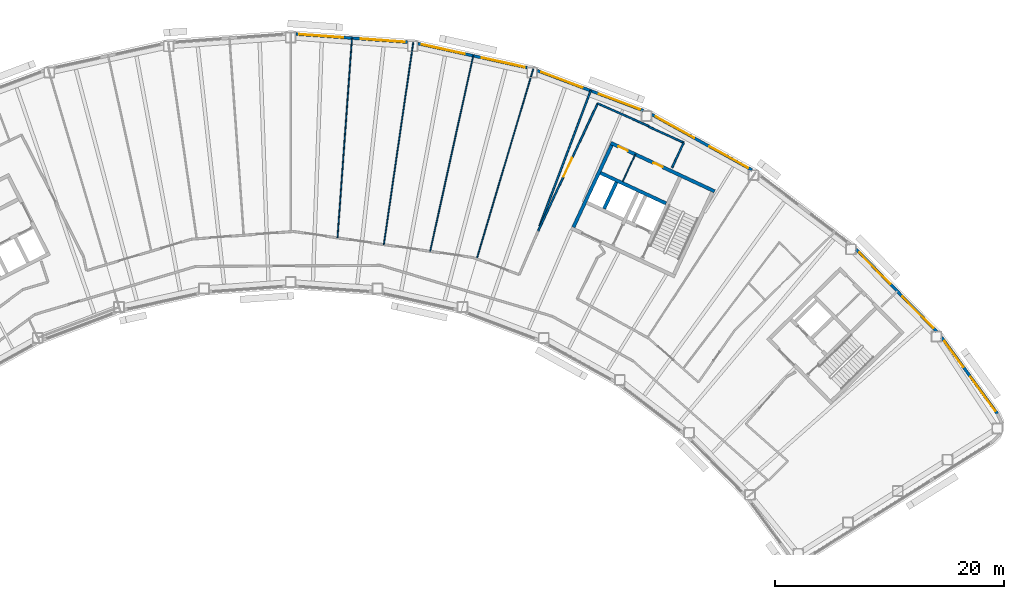
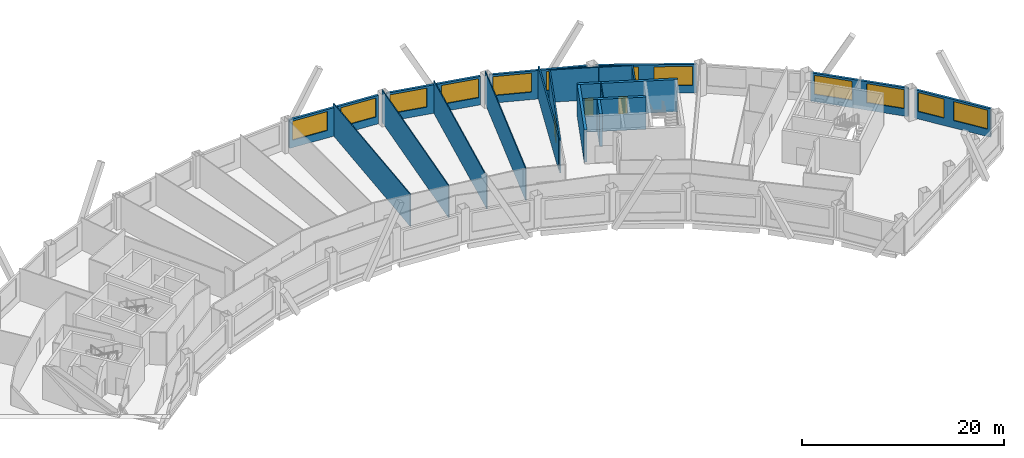
# One storey, part 10 of 13: 20 walls, 12 windows, 3 doors, 15 openings.
"""IFC4 building model written with IfcOpenShell, lengths in metres."""

from ifc_helpers import new_model, si_unit, direction, frame, frame_2d, origin, place, context, subcontext, project, spatial, rectangle, extrude, material, layer, layer_set, type_object, element, fill, save


model = new_model("IFC4")

# Units and contexts
model_context = context("Model", 3, precision=1e-05, world=origin(), true_north=direction((0.0, 1.0)))
body_context = subcontext(model_context, "Body", "Model", "MODEL_VIEW")
ifc_project = project(units=[si_unit("LENGTHUNIT", "METRE"), si_unit("AREAUNIT", "SQUARE_METRE"), si_unit("VOLUMEUNIT", "CUBIC_METRE"), si_unit("PLANEANGLEUNIT", "RADIAN"), si_unit("MASSUNIT", "GRAM", prefix="KILO")], contexts=[model_context])

# Site, building, storey
site_placement = place(None, origin())
site = spatial("IfcSite", under=ifc_project, at=site_placement, CompositionType="ELEMENT")
building_placement = place(site_placement, origin())
building = spatial("IfcBuilding", under=site, at=building_placement, Name="Tuul Gate Civic Tower", CompositionType="ELEMENT")
storey_placement = place(building_placement, frame((0.0, 0.0, 180.5)))
storey = spatial("IfcBuildingStorey", under=building, at=storey_placement, Name="Level 41", CompositionType="ELEMENT", Elevation=180.5)

# Wall
ifc_material_1 = material(Name="Concrete C50/60", Category="concrete")
ifc_layer_1 = layer(ifc_material_1, 0.300048828125)
ifc_layer_set_1 = layer_set([ifc_layer_1], Name="Concrete C50/60")
wall_type_1 = type_object("IfcWallType", Name="Core wall C50/60", PredefinedType="SHEAR", material=ifc_layer_set_1)
wall_1_placement = place(storey_placement, frame((33.75, -0.873779296875, 0.0), z_axis=(0.0, 0.0, 1.0), x_axis=(-0.906300917592, 0.422632992999, 0.0)))
element("IfcWall", 1, at=wall_1_placement, inside=storey, type_object=wall_type_1, Name="Core wall", PredefinedType="SHEAR", context=body_context, shape_type="SweptSolid", body=[
    extrude(rectangle(XDim=6.300048828125, YDim=0.300048828125, at=frame_2d((3.14990234375, 0.0))), origin(), (0.0, 0.0, 1.0), 3.89990234375),
])

# Wall, openings, doors
wall_2_placement = place(storey_placement, frame((37.993408203125, 0.181884765625, 0.0), z_axis=(0.0, 0.0, 1.0), x_axis=(-0.906310338845, 0.422612789327, 0.0)))
wall_2 = element("IfcWall", 2, at=wall_2_placement, inside=storey, type_object=wall_type_1, Name="Core wall", PredefinedType="SHEAR", context=body_context, shape_type="SweptSolid", body=[
    extrude(rectangle(XDim=9.999755859375, YDim=0.300048828125, at=frame_2d((5.0, 0.0))), origin(), (0.0, 0.0, 1.0), 3.89990234375),
])
opening_1_placement = place(wall_2_placement, frame((4.99365234375, 0.0, 0.0)))
opening_1 = element("IfcOpeningElement", 3, at=opening_1_placement, cuts=wall_2, Name="Opening O-D29", PredefinedType="OPENING", context=body_context, shape_type="SweptSolid", body=[
    extrude(rectangle(XDim=0.89990234375, YDim=2.10009765625, at=frame_2d((0.449951171875, 1.050048828125))), frame((0.0, 0.16015625, 0.0), z_axis=(0.0, -1.0, 0.0), x_axis=(1.0, 0.0, 0.0)), (0.0, 0.0, 1.0), 0.320068359375),
])
opening_2_placement = place(wall_2_placement, frame((8.368896484375, 0.0, 0.0)))
opening_2 = element("IfcOpeningElement", 4, at=opening_2_placement, cuts=wall_2, Name="Opening O-D30", PredefinedType="OPENING", context=body_context, shape_type="SweptSolid", body=[
    extrude(rectangle(XDim=0.89990234375, YDim=2.10009765625, at=frame_2d((0.449951171875, 1.050048828125))), frame((0.0, 0.16015625, 0.0), z_axis=(0.0, -1.0, 0.0), x_axis=(1.0, 0.0, 0.0)), (0.0, 0.0, 1.0), 0.320068359375),
])
ifc_material_2 = material(Name="Timber door leaf", Category="wood")
door_type_1 = type_object("IfcDoorType", Name="Door D09", OperationType="NOTDEFINED", PredefinedType="DOOR", material=ifc_material_2)
door_1_placement = place(opening_1_placement, origin())
door_1 = element("IfcDoor", 5, at=door_1_placement, inside=storey, type_object=door_type_1, Name="Door O-D29", OperationType="SINGLE_SWING_LEFT", OverallHeight=2.10009765625, OverallWidth=0.89990234375, PredefinedType="DOOR", context=body_context, shape_type="SweptSolid", body=[
    extrude(rectangle(XDim=0.89990234375, YDim=2.10009765625, at=frame_2d((0.449951171875, 1.050048828125))), frame((0.0, 0.02490234375, 0.0), z_axis=(0.0, -1.0, 0.0), x_axis=(1.0, 0.0, 0.0)), (0.0, 0.0, 1.0), 0.050048828125),
])
fill(opening_1, door_1)
door_2_placement = place(opening_2_placement, origin())
door_2 = element("IfcDoor", 6, at=door_2_placement, inside=storey, type_object=door_type_1, Name="Door O-D30", OperationType="SINGLE_SWING_RIGHT", OverallHeight=2.10009765625, OverallWidth=0.89990234375, PredefinedType="DOOR", context=body_context, shape_type="SweptSolid", body=[
    extrude(rectangle(XDim=0.89990234375, YDim=2.10009765625, at=frame_2d((0.449951171875, 1.050048828125))), frame((0.0, 0.02490234375, 0.0), z_axis=(0.0, -1.0, 0.0), x_axis=(1.0, 0.0, 0.0)), (0.0, 0.0, 1.0), 0.050048828125),
])
fill(opening_2, door_2)

# Walls
wall_3_placement = place(storey_placement, frame((28.349365234375, -1.33447265625, 0.0), z_axis=(0.0, 0.0, 1.0), x_axis=(0.422612891016, 0.906310291427, 0.0)))
element("IfcWall", 7, at=wall_3_placement, inside=storey, type_object=wall_type_1, Name="Core wall", PredefinedType="SHEAR", context=body_context, shape_type="SweptSolid", body=[
    extrude(rectangle(XDim=2.550048828125, YDim=0.300048828125, at=frame_2d((1.27490234375, 0.0))), origin(), (0.0, 0.0, 1.0), 3.89990234375),
])
wall_4_placement = place(storey_placement, frame((25.66455078125, -2.951416015625, 0.0), z_axis=(0.0, 0.0, 1.0), x_axis=(0.422582604137, 0.906324413596, 0.0)))
element("IfcWall", 8, at=wall_4_placement, inside=storey, type_object=wall_type_1, Name="Core wall", PredefinedType="SHEAR", context=body_context, shape_type="SweptSolid", body=[
    extrude(rectangle(XDim=7.89990234375, YDim=0.300048828125, at=frame_2d((3.949951171875, 0.0))), origin(), (0.0, 0.0, 1.0), 3.89990234375),
])
ifc_material_3 = material(Name="Gypsum board partition")
ifc_layer_2 = layer(ifc_material_3, 0.14990234375)
ifc_layer_set_2 = layer_set([ifc_layer_2], Name="Gypsum board partition")
wall_type_2 = type_object("IfcWallType", Name="Corridor wall P150", PredefinedType="PARTITIONING", material=ifc_layer_set_2)
wall_5_placement = place(storey_placement, frame((34.2744140625, 2.247802734375, 0.0), z_axis=(0.0, 0.0, 1.0), x_axis=(0.422602496555, 0.906315138296, 0.0)))
element("IfcWall", 9, at=wall_5_placement, inside=storey, type_object=wall_type_2, Name="p020", PredefinedType="PARTITIONING", context=body_context, shape_type="SweptSolid", body=[
    extrude(rectangle(XDim=2.408935546875, YDim=0.14990234375, at=frame_2d((1.20458984375, 0.0))), origin(), (0.0, 0.0, 1.0), 3.89990234375),
])
wall_6_placement = place(storey_placement, frame((27.78076171875, 7.85693359375, 0.0), z_axis=(0.0, 0.0, 1.0), x_axis=(0.913468780011, -0.406908820187, 0.0)))
element("IfcWall", 10, at=wall_6_placement, inside=storey, type_object=wall_type_2, Name="p021", PredefinedType="PARTITIONING", context=body_context, shape_type="SweptSolid", body=[
    extrude(rectangle(XDim=4.88037109375, YDim=0.14990234375, at=frame_2d((2.440185546875, 0.0))), origin(), (0.0, 0.0, 1.0), 3.89990234375),
])
wall_7_placement = place(storey_placement, frame((32.239501953125, 5.82373046875, 0.0), z_axis=(0.0, 0.0, 1.0), x_axis=(0.909874950062, -0.414882604179, 0.0)))
element("IfcWall", 11, at=wall_7_placement, inside=storey, type_object=wall_type_2, Name="p022", PredefinedType="PARTITIONING", context=body_context, shape_type="SweptSolid", body=[
    extrude(rectangle(XDim=3.35546875, YDim=0.14990234375, at=frame_2d((1.677734375, 0.0))), origin(), (0.0, 0.0, 1.0), 3.89990234375),
])

# Wall, opening, door
wall_8_placement = place(storey_placement, frame((22.580078125, -3.29638671875, 0.0), z_axis=(0.0, 0.0, 1.0), x_axis=(0.422580246916, 0.90632551267, 0.0)))
wall_8 = element("IfcWall", 12, at=wall_8_placement, inside=storey, type_object=wall_type_2, Name="p024", PredefinedType="PARTITIONING", context=body_context, shape_type="SweptSolid", body=[
    extrude(rectangle(XDim=12.305908203125, YDim=0.14990234375, at=frame_2d((6.15283203125, 0.0))), origin(), (0.0, 0.0, 1.0), 3.89990234375),
])
opening_3_placement = place(wall_8_placement, frame((5.246337890625, 0.0, 0.0)))
opening_3 = element("IfcOpeningElement", 13, at=opening_3_placement, cuts=wall_8, Name="Opening O-D04", PredefinedType="OPENING", context=body_context, shape_type="SweptSolid", body=[
    extrude(rectangle(XDim=1.800048828125, YDim=2.10009765625, at=frame_2d((0.89990234375, 1.050048828125))), frame((0.0, 0.0849609375, 0.0), z_axis=(0.0, -1.0, 0.0), x_axis=(1.0, 0.0, 0.0)), (0.0, 0.0, 1.0), 0.169921875),
])
ifc_material_4 = material(Name="Timber door leaf, double", Category="wood")
door_type_2 = type_object("IfcDoorType", Name="Door D18", OperationType="DOUBLE_DOOR_SINGLE_SWING", PredefinedType="DOOR", material=ifc_material_4)
door_3_placement = place(opening_3_placement, frame((1.800048828125, 0.0, 0.0), z_axis=(0.0, 0.0, 1.0), x_axis=(-1.0, 0.0, 0.0)))
door_3 = element("IfcDoor", 14, at=door_3_placement, inside=storey, type_object=door_type_2, Name="Door O-D04", OperationType="DOUBLE_DOOR_SINGLE_SWING", OverallHeight=2.10009765625, OverallWidth=1.800048828125, PredefinedType="DOOR", context=body_context, shape_type="SweptSolid", body=[
    extrude(rectangle(XDim=1.800048828125, YDim=2.10009765625, at=frame_2d((0.900146484375, 1.050048828125))), frame((0.0, 0.02490234375, 0.0), z_axis=(0.0, -1.0, 0.0), x_axis=(1.0, 0.0, 0.0)), (0.0, 0.0, 1.0), 0.050048828125),
])
fill(opening_3, door_3)

# Wall
wall_9_placement = place(storey_placement, frame((22.704833984375, -2.859375, 0.0), z_axis=(0.0, 0.0, 1.0), x_axis=(0.35371861076, 0.935351882663, 0.0)))
element("IfcWall", 15, at=wall_9_placement, inside=storey, type_object=wall_type_2, Name="p026", PredefinedType="PARTITIONING", context=body_context, shape_type="SweptSolid", body=[
    extrude(rectangle(XDim=12.643310546875, YDim=0.14990234375, at=frame_2d((6.32177734375, 0.0))), origin(), (0.0, 0.0, 1.0), 3.89990234375),
])

# Wall, openings, windows
ifc_material_5 = material(Name="Precast concrete C40/50", Category="concrete")
ifc_layer_3 = layer(ifc_material_5, 0.25)
ifc_layer_set_3 = layer_set([ifc_layer_3], Name="Precast concrete C40/50")
wall_type_3 = type_object("IfcWallType", Name="External wall", PredefinedType="STANDARD", material=ifc_layer_set_3)
wall_10_placement = place(storey_placement, frame((62.678955078125, -19.229736328125, 0.0), z_axis=(0.0, 0.0, 1.0), x_axis=(-0.589755466838, 0.80758187779, 0.0)))
wall_10 = element("IfcWall", 16, at=wall_10_placement, inside=storey, type_object=wall_type_3, Name="External wall", PredefinedType="STANDARD", context=body_context, shape_type="SweptSolid", body=[
    extrude(rectangle(XDim=8.25244140625, YDim=0.25, at=frame_2d((4.126220703125, 0.0))), origin(), (0.0, 0.0, 1.0), 3.449951171875),
])
opening_4_placement = place(wall_10_placement, frame((0.30078125, 0.0, 0.89990234375)))
opening_4 = element("IfcOpeningElement", 17, at=opening_4_placement, cuts=wall_10, Name="Opening W21", PredefinedType="OPENING", context=body_context, shape_type="SweptSolid", body=[
    extrude(rectangle(XDim=3.699951171875, YDim=2.300048828125, at=frame_2d((1.85009765625, 1.14990234375))), frame((0.0, 0.135009765625, 0.0), z_axis=(0.0, -1.0, 0.0), x_axis=(1.0, 0.0, 0.0)), (0.0, 0.0, 1.0), 0.27001953125),
])
opening_5_placement = place(wall_10_placement, frame((5.052734375, 0.0, 0.89990234375)))
opening_5 = element("IfcOpeningElement", 18, at=opening_5_placement, cuts=wall_10, Name="Opening W23", PredefinedType="OPENING", context=body_context, shape_type="SweptSolid", body=[
    extrude(rectangle(XDim=2.800048828125, YDim=2.300048828125, at=frame_2d((1.39990234375, 1.14990234375))), frame((0.0, 0.135009765625, 0.0), z_axis=(0.0, -1.0, 0.0), x_axis=(1.0, 0.0, 0.0)), (0.0, 0.0, 1.0), 0.27001953125),
])
ifc_material_6 = material(Name="Glass", Category="glass")
window_type_1 = type_object("IfcWindowType", Name="Window W21 3700 x 2300", PartitioningType="SINGLE_PANEL", PredefinedType="WINDOW", material=ifc_material_6)
window_1_placement = place(opening_4_placement, origin())
window_1 = element("IfcWindow", 19, at=window_1_placement, inside=storey, type_object=window_type_1, Name="Window", OverallHeight=2.300048828125, OverallWidth=3.699951171875, PartitioningType="SINGLE_PANEL", PredefinedType="WINDOW", context=body_context, shape_type="SweptSolid", body=[
    extrude(rectangle(XDim=3.699951171875, YDim=2.300048828125, at=frame_2d((1.85009765625, 1.14990234375))), frame((0.0, 0.030029296875, 0.0), z_axis=(0.0, -1.0, 0.0), x_axis=(1.0, 0.0, 0.0)), (0.0, 0.0, 1.0), 0.06005859375),
])
fill(opening_4, window_1)
ifc_material_7 = material(Name="Glass", Category="glass")
window_type_2 = type_object("IfcWindowType", Name="Window W23 2800 x 2300", PartitioningType="SINGLE_PANEL", PredefinedType="WINDOW", material=ifc_material_7)
window_2_placement = place(opening_5_placement, origin())
window_2 = element("IfcWindow", 20, at=window_2_placement, inside=storey, type_object=window_type_2, Name="Window", OverallHeight=2.300048828125, OverallWidth=2.800048828125, PartitioningType="SINGLE_PANEL", PredefinedType="WINDOW", context=body_context, shape_type="SweptSolid", body=[
    extrude(rectangle(XDim=2.800048828125, YDim=2.300048828125, at=frame_2d((1.39990234375, 1.14990234375))), frame((0.0, 0.030029296875, 0.0), z_axis=(0.0, -1.0, 0.0), x_axis=(1.0, 0.0, 0.0)), (0.0, 0.0, 1.0), 0.06005859375),
])
fill(opening_5, window_2)

wall_11_placement = place(storey_placement, frame((57.3759765625, -12.050048828125, 0.0), z_axis=(0.0, 0.0, 1.0), x_axis=(-0.700042765506, 0.714100921763, 0.0)))
wall_11 = element("IfcWall", 21, at=wall_11_placement, inside=storey, type_object=wall_type_3, Name="External wall", PredefinedType="STANDARD", context=body_context, shape_type="SweptSolid", body=[
    extrude(rectangle(XDim=10.05517578125, YDim=0.25, at=frame_2d((5.027587890625, 0.0))), origin(), (0.0, 0.0, 1.0), 3.449951171875),
])
opening_6_placement = place(wall_11_placement, frame((0.416748046875, 0.0, 0.89990234375)))
opening_6 = element("IfcOpeningElement", 22, at=opening_6_placement, cuts=wall_11, Name="Opening W22", PredefinedType="OPENING", context=body_context, shape_type="SweptSolid", body=[
    extrude(rectangle(XDim=3.85009765625, YDim=2.300048828125, at=frame_2d((1.925048828125, 1.14990234375))), frame((0.0, 0.135009765625, 0.0), z_axis=(0.0, -1.0, 0.0), x_axis=(1.0, 0.0, 0.0)), (0.0, 0.0, 1.0), 0.27001953125),
])
opening_7_placement = place(wall_11_placement, frame((5.787841796875, 0.0, 0.89990234375)))
opening_7 = element("IfcOpeningElement", 23, at=opening_7_placement, cuts=wall_11, Name="Opening W22", PredefinedType="OPENING", context=body_context, shape_type="SweptSolid", body=[
    extrude(rectangle(XDim=3.85009765625, YDim=2.300048828125, at=frame_2d((1.925048828125, 1.14990234375))), frame((0.0, 0.135009765625, 0.0), z_axis=(0.0, -1.0, 0.0), x_axis=(1.0, 0.0, 0.0)), (0.0, 0.0, 1.0), 0.27001953125),
])
ifc_material_8 = material(Name="Glass", Category="glass")
window_type_3 = type_object("IfcWindowType", Name="Window W22 3850 x 2300", PartitioningType="SINGLE_PANEL", PredefinedType="WINDOW", material=ifc_material_8)
window_3_placement = place(opening_6_placement, origin())
window_3 = element("IfcWindow", 24, at=window_3_placement, inside=storey, type_object=window_type_3, Name="Window", OverallHeight=2.300048828125, OverallWidth=3.85009765625, PartitioningType="SINGLE_PANEL", PredefinedType="WINDOW", context=body_context, shape_type="SweptSolid", body=[
    extrude(rectangle(XDim=3.85009765625, YDim=2.300048828125, at=frame_2d((1.925048828125, 1.14990234375))), frame((0.0, 0.030029296875, 0.0), z_axis=(0.0, -1.0, 0.0), x_axis=(1.0, 0.0, 0.0)), (0.0, 0.0, 1.0), 0.06005859375),
])
fill(opening_6, window_3)
window_4_placement = place(opening_7_placement, origin())
window_4 = element("IfcWindow", 25, at=window_4_placement, inside=storey, type_object=window_type_3, Name="Window", OverallHeight=2.300048828125, OverallWidth=3.85009765625, PartitioningType="SINGLE_PANEL", PredefinedType="WINDOW", context=body_context, shape_type="SweptSolid", body=[
    extrude(rectangle(XDim=3.85009765625, YDim=2.300048828125, at=frame_2d((1.925048828125, 1.14990234375))), frame((0.0, 0.030029296875, 0.0), z_axis=(0.0, -1.0, 0.0), x_axis=(1.0, 0.0, 0.0)), (0.0, 0.0, 1.0), 0.06005859375),
])
fill(opening_7, window_4)

wall_12_placement = place(storey_placement, frame((41.251220703125, 2.04296875, 0.0), z_axis=(0.0, 0.0, 1.0), x_axis=(-0.874633566806, 0.484784615903, 0.0)))
wall_12 = element("IfcWall", 26, at=wall_12_placement, inside=storey, type_object=wall_type_3, Name="External wall", PredefinedType="STANDARD", context=body_context, shape_type="SweptSolid", body=[
    extrude(rectangle(XDim=10.001220703125, YDim=0.25, at=frame_2d((5.00048828125, 0.0))), origin(), (0.0, 0.0, 1.0), 3.449951171875),
])
opening_8_placement = place(wall_12_placement, frame((0.38671875, 0.0, 0.89990234375)))
opening_8 = element("IfcOpeningElement", 27, at=opening_8_placement, cuts=wall_12, Name="Opening W22", PredefinedType="OPENING", context=body_context, shape_type="SweptSolid", body=[
    extrude(rectangle(XDim=3.85009765625, YDim=2.300048828125, at=frame_2d((1.925048828125, 1.14990234375))), frame((0.0, 0.135009765625, 0.0), z_axis=(0.0, -1.0, 0.0), x_axis=(1.0, 0.0, 0.0)), (0.0, 0.0, 1.0), 0.27001953125),
])
opening_9_placement = place(wall_12_placement, frame((5.758056640625, 0.0, 0.89990234375)))
opening_9 = element("IfcOpeningElement", 28, at=opening_9_placement, cuts=wall_12, Name="Opening W22", PredefinedType="OPENING", context=body_context, shape_type="SweptSolid", body=[
    extrude(rectangle(XDim=3.85009765625, YDim=2.300048828125, at=frame_2d((1.925048828125, 1.14990234375))), frame((0.0, 0.135009765625, 0.0), z_axis=(0.0, -1.0, 0.0), x_axis=(1.0, 0.0, 0.0)), (0.0, 0.0, 1.0), 0.27001953125),
])
window_5_placement = place(opening_8_placement, origin())
window_5 = element("IfcWindow", 29, at=window_5_placement, inside=storey, type_object=window_type_3, Name="Window", OverallHeight=2.300048828125, OverallWidth=3.85009765625, PartitioningType="SINGLE_PANEL", PredefinedType="WINDOW", context=body_context, shape_type="SweptSolid", body=[
    extrude(rectangle(XDim=3.85009765625, YDim=2.300048828125, at=frame_2d((1.925048828125, 1.14990234375))), frame((0.0, 0.030029296875, 0.0), z_axis=(0.0, -1.0, 0.0), x_axis=(1.0, 0.0, 0.0)), (0.0, 0.0, 1.0), 0.06005859375),
])
fill(opening_8, window_5)
window_6_placement = place(opening_9_placement, origin())
window_6 = element("IfcWindow", 30, at=window_6_placement, inside=storey, type_object=window_type_3, Name="Window", OverallHeight=2.300048828125, OverallWidth=3.85009765625, PartitioningType="SINGLE_PANEL", PredefinedType="WINDOW", context=body_context, shape_type="SweptSolid", body=[
    extrude(rectangle(XDim=3.85009765625, YDim=2.300048828125, at=frame_2d((1.925048828125, 1.14990234375))), frame((0.0, 0.030029296875, 0.0), z_axis=(0.0, -1.0, 0.0), x_axis=(1.0, 0.0, 0.0)), (0.0, 0.0, 1.0), 0.06005859375),
])
fill(opening_9, window_6)

wall_13_placement = place(storey_placement, frame((31.78125, 7.219970703125, 0.0), z_axis=(0.0, 0.0, 1.0), x_axis=(-0.935342915264, 0.353742322694, 0.0)))
wall_13 = element("IfcWall", 31, at=wall_13_placement, inside=storey, type_object=wall_type_3, Name="External wall", PredefinedType="STANDARD", context=body_context, shape_type="SweptSolid", body=[
    extrude(rectangle(XDim=9.904541015625, YDim=0.25, at=frame_2d((4.9521484375, 0.0))), origin(), (0.0, 0.0, 1.0), 3.449951171875),
])
opening_10_placement = place(wall_13_placement, frame((0.314208984375, 0.0, 0.89990234375)))
opening_10 = element("IfcOpeningElement", 32, at=opening_10_placement, cuts=wall_13, Name="Opening W22", PredefinedType="OPENING", context=body_context, shape_type="SweptSolid", body=[
    extrude(rectangle(XDim=3.85009765625, YDim=2.300048828125, at=frame_2d((1.925048828125, 1.14990234375))), frame((0.0, 0.135009765625, 0.0), z_axis=(0.0, -1.0, 0.0), x_axis=(1.0, 0.0, 0.0)), (0.0, 0.0, 1.0), 0.27001953125),
])
opening_11_placement = place(wall_13_placement, frame((5.685546875, 0.0, 0.89990234375)))
opening_11 = element("IfcOpeningElement", 33, at=opening_11_placement, cuts=wall_13, Name="Opening W22", PredefinedType="OPENING", context=body_context, shape_type="SweptSolid", body=[
    extrude(rectangle(XDim=3.85009765625, YDim=2.300048828125, at=frame_2d((1.925048828125, 1.14990234375))), frame((0.0, 0.135009765625, 0.0), z_axis=(0.0, -1.0, 0.0), x_axis=(1.0, 0.0, 0.0)), (0.0, 0.0, 1.0), 0.27001953125),
])
window_7_placement = place(opening_10_placement, origin())
window_7 = element("IfcWindow", 34, at=window_7_placement, inside=storey, type_object=window_type_3, Name="Window", OverallHeight=2.300048828125, OverallWidth=3.85009765625, PartitioningType="SINGLE_PANEL", PredefinedType="WINDOW", context=body_context, shape_type="SweptSolid", body=[
    extrude(rectangle(XDim=3.85009765625, YDim=2.300048828125, at=frame_2d((1.925048828125, 1.14990234375))), frame((0.0, 0.030029296875, 0.0), z_axis=(0.0, -1.0, 0.0), x_axis=(1.0, 0.0, 0.0)), (0.0, 0.0, 1.0), 0.06005859375),
])
fill(opening_10, window_7)
window_8_placement = place(opening_11_placement, origin())
window_8 = element("IfcWindow", 35, at=window_8_placement, inside=storey, type_object=window_type_3, Name="Window", OverallHeight=2.300048828125, OverallWidth=3.85009765625, PartitioningType="SINGLE_PANEL", PredefinedType="WINDOW", context=body_context, shape_type="SweptSolid", body=[
    extrude(rectangle(XDim=3.85009765625, YDim=2.300048828125, at=frame_2d((1.925048828125, 1.14990234375))), frame((0.0, 0.030029296875, 0.0), z_axis=(0.0, -1.0, 0.0), x_axis=(1.0, 0.0, 0.0)), (0.0, 0.0, 1.0), 0.06005859375),
])
fill(opening_11, window_8)

wall_14_placement = place(storey_placement, frame((21.616943359375, 10.978271484375, 0.0), z_axis=(0.0, 0.0, 1.0), x_axis=(-0.976564163257, 0.215226473842, 0.0)))
wall_14 = element("IfcWall", 36, at=wall_14_placement, inside=storey, type_object=wall_type_3, Name="External wall", PredefinedType="STANDARD", context=body_context, shape_type="SweptSolid", body=[
    extrude(rectangle(XDim=9.756591796875, YDim=0.25, at=frame_2d((4.87841796875, 0.0))), origin(), (0.0, 0.0, 1.0), 3.449951171875),
])
opening_12_placement = place(wall_14_placement, frame((0.1962890625, 0.0, 0.89990234375)))
opening_12 = element("IfcOpeningElement", 37, at=opening_12_placement, cuts=wall_14, Name="Opening W22", PredefinedType="OPENING", context=body_context, shape_type="SweptSolid", body=[
    extrude(rectangle(XDim=3.85009765625, YDim=2.300048828125, at=frame_2d((1.925048828125, 1.14990234375))), frame((0.0, 0.135009765625, 0.0), z_axis=(0.0, -1.0, 0.0), x_axis=(1.0, 0.0, 0.0)), (0.0, 0.0, 1.0), 0.27001953125),
])
opening_13_placement = place(wall_14_placement, frame((5.567626953125, 0.0, 0.89990234375)))
opening_13 = element("IfcOpeningElement", 38, at=opening_13_placement, cuts=wall_14, Name="Opening W22", PredefinedType="OPENING", context=body_context, shape_type="SweptSolid", body=[
    extrude(rectangle(XDim=3.85009765625, YDim=2.300048828125, at=frame_2d((1.925048828125, 1.14990234375))), frame((0.0, 0.135009765625, 0.0), z_axis=(0.0, -1.0, 0.0), x_axis=(1.0, 0.0, 0.0)), (0.0, 0.0, 1.0), 0.27001953125),
])
window_9_placement = place(opening_12_placement, origin())
window_9 = element("IfcWindow", 39, at=window_9_placement, inside=storey, type_object=window_type_3, Name="Window", OverallHeight=2.300048828125, OverallWidth=3.85009765625, PartitioningType="SINGLE_PANEL", PredefinedType="WINDOW", context=body_context, shape_type="SweptSolid", body=[
    extrude(rectangle(XDim=3.85009765625, YDim=2.300048828125, at=frame_2d((1.925048828125, 1.14990234375))), frame((0.0, 0.030029296875, 0.0), z_axis=(0.0, -1.0, 0.0), x_axis=(1.0, 0.0, 0.0)), (0.0, 0.0, 1.0), 0.06005859375),
])
fill(opening_12, window_9)
window_10_placement = place(opening_13_placement, origin())
window_10 = element("IfcWindow", 40, at=window_10_placement, inside=storey, type_object=window_type_3, Name="Window", OverallHeight=2.300048828125, OverallWidth=3.85009765625, PartitioningType="SINGLE_PANEL", PredefinedType="WINDOW", context=body_context, shape_type="SweptSolid", body=[
    extrude(rectangle(XDim=3.85009765625, YDim=2.300048828125, at=frame_2d((1.925048828125, 1.14990234375))), frame((0.0, 0.030029296875, 0.0), z_axis=(0.0, -1.0, 0.0), x_axis=(1.0, 0.0, 0.0)), (0.0, 0.0, 1.0), 0.06005859375),
])
fill(opening_13, window_10)

wall_15_placement = place(storey_placement, frame((11.18896484375, 13.202880859375, 0.0), z_axis=(0.0, 0.0, 1.0), x_axis=(-0.997385917902, 0.072258776432, 0.0)))
wall_15 = element("IfcWall", 41, at=wall_15_placement, inside=storey, type_object=wall_type_3, Name="External wall", PredefinedType="STANDARD", context=body_context, shape_type="SweptSolid", body=[
    extrude(rectangle(XDim=9.774658203125, YDim=0.25, at=frame_2d((4.88720703125, 0.0))), origin(), (0.0, 0.0, 1.0), 3.449951171875),
])
opening_14_placement = place(wall_15_placement, frame((0.253173828125, 0.0, 0.89990234375)))
opening_14 = element("IfcOpeningElement", 42, at=opening_14_placement, cuts=wall_15, Name="Opening W22", PredefinedType="OPENING", context=body_context, shape_type="SweptSolid", body=[
    extrude(rectangle(XDim=3.85009765625, YDim=2.300048828125, at=frame_2d((1.925048828125, 1.14990234375))), frame((0.0, 0.135009765625, 0.0), z_axis=(0.0, -1.0, 0.0), x_axis=(1.0, 0.0, 0.0)), (0.0, 0.0, 1.0), 0.27001953125),
])
opening_15_placement = place(wall_15_placement, frame((5.624267578125, 0.0, 0.89990234375)))
opening_15 = element("IfcOpeningElement", 43, at=opening_15_placement, cuts=wall_15, Name="Opening W22", PredefinedType="OPENING", context=body_context, shape_type="SweptSolid", body=[
    extrude(rectangle(XDim=3.85009765625, YDim=2.300048828125, at=frame_2d((1.925048828125, 1.14990234375))), frame((0.0, 0.135009765625, 0.0), z_axis=(0.0, -1.0, 0.0), x_axis=(1.0, 0.0, 0.0)), (0.0, 0.0, 1.0), 0.27001953125),
])
window_11_placement = place(opening_14_placement, origin())
window_11 = element("IfcWindow", 44, at=window_11_placement, inside=storey, type_object=window_type_3, Name="Window", OverallHeight=2.300048828125, OverallWidth=3.85009765625, PartitioningType="SINGLE_PANEL", PredefinedType="WINDOW", context=body_context, shape_type="SweptSolid", body=[
    extrude(rectangle(XDim=3.85009765625, YDim=2.300048828125, at=frame_2d((1.925048828125, 1.14990234375))), frame((0.0, 0.030029296875, 0.0), z_axis=(0.0, -1.0, 0.0), x_axis=(1.0, 0.0, 0.0)), (0.0, 0.0, 1.0), 0.06005859375),
])
fill(opening_14, window_11)
window_12_placement = place(opening_15_placement, origin())
window_12 = element("IfcWindow", 45, at=window_12_placement, inside=storey, type_object=window_type_3, Name="Window", OverallHeight=2.300048828125, OverallWidth=3.85009765625, PartitioningType="SINGLE_PANEL", PredefinedType="WINDOW", context=body_context, shape_type="SweptSolid", body=[
    extrude(rectangle(XDim=3.85009765625, YDim=2.300048828125, at=frame_2d((1.925048828125, 1.14990234375))), frame((0.0, 0.030029296875, 0.0), z_axis=(0.0, -1.0, 0.0), x_axis=(1.0, 0.0, 0.0)), (0.0, 0.0, 1.0), 0.06005859375),
])
fill(opening_15, window_12)

# Walls
ifc_material_9 = material(Name="Gypsum board partition")
ifc_layer_4 = layer(ifc_material_9, 0.10009765625)
ifc_layer_set_4 = layer_set([ifc_layer_4], Name="Gypsum board partition")
wall_type_4 = type_object("IfcWallType", Name="Partition P100", PredefinedType="PARTITIONING", material=ifc_layer_set_4)
wall_16_placement = place(storey_placement, frame((17.22802734375, -5.7138671875, 0.0), z_axis=(0.0, 0.0, 1.0), x_axis=(0.285206511667, 0.958466090012, 0.0)))
element("IfcWall", 46, at=wall_16_placement, inside=storey, type_object=wall_type_4, Name="p027", PredefinedType="PARTITIONING", context=body_context, shape_type="SweptSolid", body=[
    extrude(rectangle(XDim=17.295654296875, YDim=0.10009765625, at=frame_2d((8.64794921875, 0.0))), origin(), (0.0, 0.0, 1.0), 3.89990234375),
])
wall_17_placement = place(storey_placement, frame((13.16162109375, -5.0537109375, 0.0), z_axis=(0.0, 0.0, 1.0), x_axis=(0.215231034136, 0.976563158195, 0.0)))
element("IfcWall", 47, at=wall_17_placement, inside=storey, type_object=wall_type_4, Name="p029", PredefinedType="PARTITIONING", context=body_context, shape_type="SweptSolid", body=[
    extrude(rectangle(XDim=17.48095703125, YDim=0.10009765625, at=frame_2d((8.740478515625, 0.0))), origin(), (0.0, 0.0, 1.0), 3.89990234375),
])
wall_18_placement = place(storey_placement, frame((9.118408203125, -4.466552734375, 0.0), z_axis=(0.0, 0.0, 1.0), x_axis=(0.144105435144, 0.989562339402, 0.0)))
element("IfcWall", 48, at=wall_18_placement, inside=storey, type_object=wall_type_4, Name="p031", PredefinedType="PARTITIONING", context=body_context, shape_type="SweptSolid", body=[
    extrude(rectangle(XDim=17.824462890625, YDim=0.10009765625, at=frame_2d((8.912109375, 0.0))), origin(), (0.0, 0.0, 1.0), 3.89990234375),
])
wall_19_placement = place(storey_placement, frame((5.075439453125, -3.87939453125, 0.0), z_axis=(0.0, 0.0, 1.0), x_axis=(0.072232387983, 0.997387829345, 0.0)))
element("IfcWall", 49, at=wall_19_placement, inside=storey, type_object=wall_type_4, Name="p032", PredefinedType="PARTITIONING", context=body_context, shape_type="SweptSolid", body=[
    extrude(rectangle(XDim=17.484375, YDim=0.10009765625, at=frame_2d((8.7421875, 0.0))), origin(), (0.0, 0.0, 1.0), 3.89990234375),
])
wall_20_placement = place(storey_placement, frame((29.972900390625, 1.052978515625, 0.0), z_axis=(0.0, 0.0, 1.0), x_axis=(0.422556439746, 0.906336612539, 0.0)))
element("IfcWall", 50, at=wall_20_placement, inside=storey, type_object=wall_type_4, Name="bE3-BAND-0", PredefinedType="PARTITIONING", context=body_context, shape_type="SweptSolid", body=[
    extrude(rectangle(XDim=2.599853515625, YDim=0.10009765625, at=frame_2d((1.2998046875, 0.0))), origin(), (0.0, 0.0, 1.0), 3.89990234375),
])

save(model, "model.ifc")
